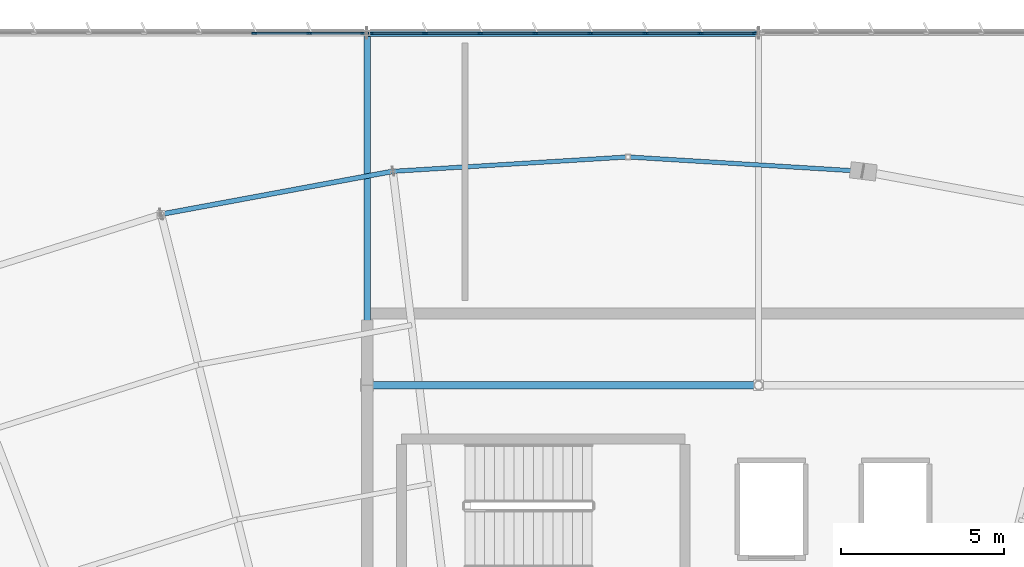
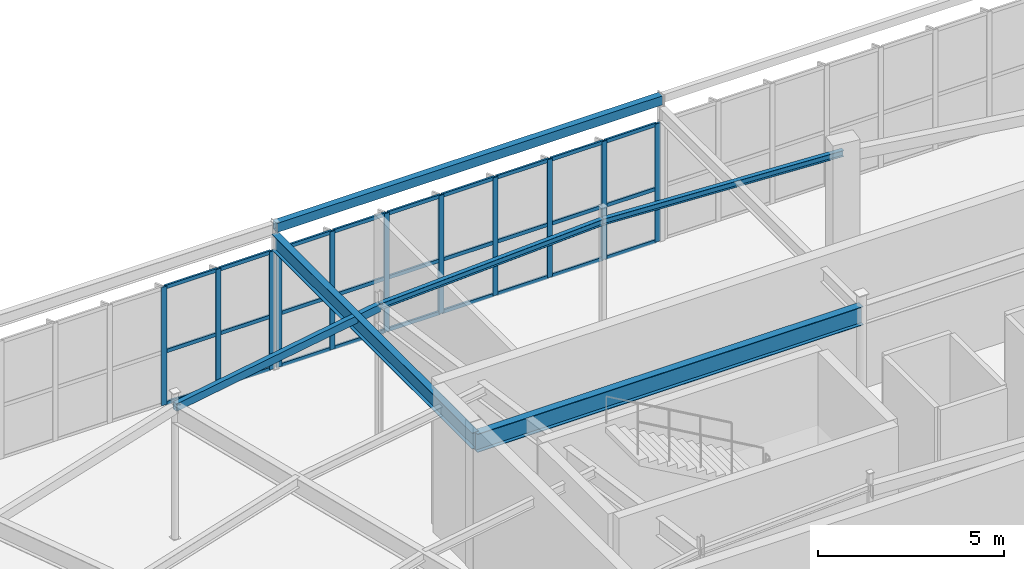
# One storey, part 81 of 186: 38 members, 6 beams, 2 elements without a shape of their own.
"""IFC4 building model written with IfcOpenShell, lengths in metres."""

from ifc_helpers import new_model, si_unit, direction, frame, origin, origin_2d, place, context, subcontext, project, spatial, rectangle, hollow_rectangle, i_section, extrude, material, layer, layer_set, material_profile, profile_set, type_object, element, aggregate, save


model = new_model("IFC4")

# Units and contexts
model_context = context("Model", 3, precision=1e-05, world=origin(), true_north=direction((0.0, 1.0)))
body_context = subcontext(model_context, "Body", "Model", "MODEL_VIEW")
ifc_project = project(units=[si_unit("LENGTHUNIT", "METRE"), si_unit("AREAUNIT", "SQUARE_METRE"), si_unit("VOLUMEUNIT", "CUBIC_METRE"), si_unit("PLANEANGLEUNIT", "RADIAN"), si_unit("MASSUNIT", "GRAM", prefix="KILO")], contexts=[model_context])

# Site, building, storey
site_placement = place(None, origin())
site = spatial("IfcSite", under=ifc_project, at=site_placement, CompositionType="ELEMENT")
building_placement = place(site_placement, origin())
building = spatial("IfcBuilding", under=site, at=building_placement, Name="Tarnwether General Hospital", CompositionType="ELEMENT")
storey_placement = place(building_placement, frame((0.0, 0.0, 9.60009765625)))
storey = spatial("IfcBuildingStorey", under=building, at=storey_placement, Name="L02", CompositionType="ELEMENT", Elevation=9.60009765625)

# Beams
ifc_material_1 = material(Name="Steel Grade 350 (350 MPa)", Category="steel")
ifc_material_profile_1 = material_profile(ifc_material_1, i_section(OverallWidth=0.22802734375, OverallDepth=0.60693359375, WebThickness=0.01123046875, FlangeThickness=0.017333984375, at=origin_2d()), Name="610UB113")
ifc_profile_set_1 = profile_set([ifc_material_profile_1], Name="Steel Grade 350 (350 MPa)")
beam_type_1 = type_object("IfcBeamType", Name="BM-G04", PredefinedType="BEAM", material=ifc_profile_set_1)
beam_1_placement = place(storey_placement, frame((84.0, 115.199951171875, 4.12646484375), z_axis=(1.0, 0.0, 0.0), x_axis=(0.0, 1.0, 0.0)))
element("IfcBeam", 1, at=beam_1_placement, inside=storey, type_object=beam_type_1, Name="Primary Girder BMG-L02-8400_11520-9600_11520-1518", PredefinedType="BEAM", context=body_context, shape_type="SweptSolid", body=[
    extrude(i_section(OverallWidth=0.22802734375, OverallDepth=0.60693359375, WebThickness=0.01123046875, FlangeThickness=0.017333984375, at=origin_2d()), origin(), (0.0, 0.0, 1.0), 12.0),
])
ifc_material_2 = material(Name="Steel Grade 350 (350 MPa)", Category="steel")
ifc_material_profile_2 = material_profile(ifc_material_2, i_section(OverallWidth=0.208984375, OverallDepth=0.528076171875, WebThickness=0.009521484375, FlangeThickness=0.01318359375, at=origin_2d()), Name="530UB82.0")
ifc_profile_set_2 = profile_set([ifc_material_profile_2], Name="Steel Grade 350 (350 MPa)")
beam_type_2 = type_object("IfcBeamType", Name="BM-G07", PredefinedType="BEAM", material=ifc_profile_set_2)
beam_2_placement = place(storey_placement, frame((84.0, 115.199951171875, 4.166015625), z_axis=(0.0, 1.0, 0.0), x_axis=(-1.0, 0.0, 0.0)))
element("IfcBeam", 2, at=beam_2_placement, inside=storey, type_object=beam_type_2, Name="Primary Girder BMG-L02-8400_11520-8400_12600-1519", PredefinedType="BEAM", context=body_context, shape_type="SweptSolid", body=[
    extrude(i_section(OverallWidth=0.208984375, OverallDepth=0.528076171875, WebThickness=0.009521484375, FlangeThickness=0.01318359375, at=origin_2d()), origin(), (0.0, 0.0, 1.0), 10.800048828125),
])
ifc_material_3 = material(Name="Steel Grade C350L0 (350 MPa)", Category="steel")
ifc_material_profile_3 = material_profile(ifc_material_3, hollow_rectangle(XDim=0.199951171875, YDim=0.300048828125, WallThickness=0.012451171875, at=origin_2d()), Name="RHS300x200x12.5")
ifc_profile_set_3 = profile_set([ifc_material_profile_3], Name="Steel Grade C350L0 (350 MPa)")
beam_type_3 = type_object("IfcBeamType", Name="BM-SP3", PredefinedType="SPANDREL", material=ifc_profile_set_3)
beam_3_placement = place(storey_placement, frame((84.0, 126.0, 4.64990234375), z_axis=(1.0, 0.0, 0.0), x_axis=(0.0, 1.0, 0.0)))
element("IfcBeam", 3, at=beam_3_placement, inside=storey, type_object=beam_type_3, Name="Primary Girder BMG-L02-8400_12600-9600_12600-1520", PredefinedType="SPANDREL", context=body_context, shape_type="SweptSolid", body=[
    extrude(hollow_rectangle(XDim=0.199951171875, YDim=0.300048828125, WallThickness=0.012451171875, at=origin_2d()), origin(), (0.0, 0.0, 1.0), 12.0),
])
ifc_material_4 = material(Name="Steel Grade C350L0 (350 MPa)", Category="steel")
ifc_material_profile_4 = material_profile(ifc_material_4, hollow_rectangle(XDim=0.14990234375, YDim=0.25, WallThickness=0.010009765625, at=origin_2d()), Name="RHS250x150x10")
ifc_profile_set_4 = profile_set([ifc_material_profile_4], Name="Steel Grade C350L0 (350 MPa)")
beam_type_4 = type_object("IfcBeamType", Name="BM-SP4", PredefinedType="SPANDREL", material=ifc_profile_set_4)
beam_4_placement = place(storey_placement, frame((77.677978515625, 120.44189453125, 4.304931640625), z_axis=(0.98325623662, 0.182228354399, 0.0), x_axis=(-0.182228354399, 0.98325623662, 0.0)))
element("IfcBeam", 4, at=beam_4_placement, inside=storey, type_object=beam_type_4, Name="Curved Ward NW Outer Spandrel BMG-L02-7768_12044-8478_12176-1899", PredefinedType="SPANDREL", context=body_context, shape_type="SweptSolid", body=[
    extrude(hollow_rectangle(XDim=0.14990234375, YDim=0.25, WallThickness=0.010009765625, at=origin_2d()), origin(), (0.0, 0.0, 1.0), 7.22802734375),
])
ifc_material_5 = material(Name="Steel Grade 350 (350 MPa)", Category="steel")
ifc_material_profile_5 = material_profile(ifc_material_5, i_section(OverallWidth=0.133056640625, OverallDepth=0.202880859375, WebThickness=0.005859375, FlangeThickness=0.0078125, at=origin_2d()), Name="200UB25.4")
ifc_profile_set_5 = profile_set([ifc_material_profile_5], Name="Steel Grade 350 (350 MPa)")
beam_type_5 = type_object("IfcBeamType", Name="BM-SP5", PredefinedType="SPANDREL", material=ifc_profile_set_5)
beam_5_placement = place(storey_placement, frame((84.784912109375, 121.759033203125, 4.328369140625), z_axis=(0.998137964221, 0.060996757127, 0.0), x_axis=(-0.060996757127, 0.998137964221, 0.0)))
element("IfcBeam", 5, at=beam_5_placement, inside=storey, type_object=beam_type_5, Name="Curved Ward NW Outer Spandrel BMG-L02-8478_12176-9200_12220-1903", PredefinedType="SPANDREL", context=body_context, shape_type="SweptSolid", body=[
    extrude(i_section(OverallWidth=0.133056640625, OverallDepth=0.202880859375, WebThickness=0.005859375, FlangeThickness=0.0078125, at=origin_2d()), origin(), (0.0, 0.0, 1.0), 7.228515625),
])
ifc_material_6 = material(Name="Steel Grade 350 (350 MPa)", Category="steel")
ifc_material_profile_6 = material_profile(ifc_material_6, i_section(OverallWidth=0.133056640625, OverallDepth=0.201904296875, WebThickness=0.0048828125, FlangeThickness=0.007080078125, at=origin_2d()), Name="200UB22.3")
ifc_profile_set_6 = profile_set([ifc_material_profile_6], Name="Steel Grade 350 (350 MPa)")
beam_type_6 = type_object("IfcBeamType", Name="BM-SP6", PredefinedType="SPANDREL", material=ifc_profile_set_6)
beam_6_placement = place(storey_placement, frame((92.0, 122.199951171875, 4.328857421875), z_axis=(0.998137964221, -0.060996757127, 0.0), x_axis=(0.060996757127, 0.998137964221, 0.0)))
element("IfcBeam", 6, at=beam_6_placement, inside=storey, type_object=beam_type_6, Name="Curved Ward NW Outer Spandrel BMG-L02-9200_12220-9922_12176-1905", PredefinedType="SPANDREL", context=body_context, shape_type="SweptSolid", body=[
    extrude(i_section(OverallWidth=0.133056640625, OverallDepth=0.201904296875, WebThickness=0.0048828125, FlangeThickness=0.007080078125, at=origin_2d()), origin(), (0.0, 0.0, 1.0), 7.228515625),
])

# Curtain wall, members
ifc_material_7 = material(Name="Anodised aluminium", Category="aluminium")
ifc_layer = layer(ifc_material_7, 0.159912109375)
ifc_layer_set = layer_set([ifc_layer], Name="Anodised aluminium")
curtain_wall_type = type_object("IfcCurtainWallType", Name="CW-17", PredefinedType="NOTDEFINED", material=ifc_layer_set)
curtain_wall_1_placement = place(storey_placement, origin())
curtain_wall_1 = element("IfcCurtainWall", 7, at=curtain_wall_1_placement, inside=storey, type_object=curtain_wall_type, Name="Curtain Wall CWG-L02-721_1260-0404", PredefinedType="NOTDEFINED")
ifc_material_8 = material(Name="Anodised aluminium", Category="aluminium")
ifc_material_profile_7 = material_profile(ifc_material_8, rectangle(XDim=0.06005859375, YDim=0.159912109375, at=origin_2d()), Name="ALU-MUL-60x160")
ifc_profile_set_7 = profile_set([ifc_material_profile_7], Name="Anodised aluminium")
member_type_1 = type_object("IfcMemberType", Name="CW-ML1", PredefinedType="MULLION", material=ifc_profile_set_7)
member_1_placement = place(storey_placement, frame((80.535888671875, 126.0, 0.0), z_axis=(0.0, 0.0, 1.0), x_axis=(0.0, 1.0, 0.0)))
member_1 = element("IfcMember", 8, at=member_1_placement, type_object=member_type_1, Name="CW-17 mullion 6", PredefinedType="MULLION", context=body_context, shape_type="SweptSolid", body=[
    extrude(rectangle(XDim=0.06005859375, YDim=0.159912109375, at=origin_2d()), origin(), (0.0, 0.0, 1.0), 3.886962890625),
])
member_2_placement = place(storey_placement, frame((82.226318359375, 126.0, 0.0), z_axis=(0.0, 0.0, 1.0), x_axis=(0.0, 1.0, 0.0)))
member_2 = element("IfcMember", 9, at=member_2_placement, type_object=member_type_1, Name="CW-17 mullion 7", PredefinedType="MULLION", context=body_context, shape_type="SweptSolid", body=[
    extrude(rectangle(XDim=0.06005859375, YDim=0.159912109375, at=origin_2d()), origin(), (0.0, 0.0, 1.0), 3.886962890625),
])
member_3_placement = place(storey_placement, frame((83.886962890625, 126.0, 0.0), z_axis=(0.0, 0.0, 1.0), x_axis=(0.0, 1.0, 0.0)))
member_3 = element("IfcMember", 10, at=member_3_placement, type_object=member_type_1, Name="CW-17 mullion 8", PredefinedType="MULLION", context=body_context, shape_type="SweptSolid", body=[
    extrude(rectangle(XDim=0.06005859375, YDim=0.159912109375, at=origin_2d()), origin(), (0.0, 0.0, 1.0), 3.886962890625),
])

curtain_wall_2_placement = place(storey_placement, origin())
curtain_wall_2 = element("IfcCurtainWall", 11, at=curtain_wall_2_placement, inside=storey, type_object=curtain_wall_type, Name="Curtain Wall CWG-L02-841_1260-0405", PredefinedType="NOTDEFINED")
member_4_placement = place(storey_placement, frame((84.113037109375, 126.0, 0.0), z_axis=(0.0, 0.0, 1.0), x_axis=(0.0, 1.0, 0.0)))
member_4 = element("IfcMember", 12, at=member_4_placement, type_object=member_type_1, Name="CW-17 mullion 1", PredefinedType="MULLION", context=body_context, shape_type="SweptSolid", body=[
    extrude(rectangle(XDim=0.06005859375, YDim=0.159912109375, at=origin_2d()), origin(), (0.0, 0.0, 1.0), 3.886962890625),
])
member_5_placement = place(storey_placement, frame((85.7734375, 126.0, 0.0), z_axis=(0.0, 0.0, 1.0), x_axis=(0.0, 1.0, 0.0)))
member_5 = element("IfcMember", 13, at=member_5_placement, type_object=member_type_1, Name="CW-17 mullion 2", PredefinedType="MULLION", context=body_context, shape_type="SweptSolid", body=[
    extrude(rectangle(XDim=0.06005859375, YDim=0.159912109375, at=origin_2d()), origin(), (0.0, 0.0, 1.0), 3.886962890625),
])
member_6_placement = place(storey_placement, frame((87.4638671875, 126.0, 0.0), z_axis=(0.0, 0.0, 1.0), x_axis=(0.0, 1.0, 0.0)))
member_6 = element("IfcMember", 14, at=member_6_placement, type_object=member_type_1, Name="CW-17 mullion 3", PredefinedType="MULLION", context=body_context, shape_type="SweptSolid", body=[
    extrude(rectangle(XDim=0.06005859375, YDim=0.159912109375, at=origin_2d()), origin(), (0.0, 0.0, 1.0), 3.886962890625),
])
member_7_placement = place(storey_placement, frame((89.154296875, 126.0, 0.0), z_axis=(0.0, 0.0, 1.0), x_axis=(0.0, 1.0, 0.0)))
member_7 = element("IfcMember", 15, at=member_7_placement, type_object=member_type_1, Name="CW-17 mullion 4", PredefinedType="MULLION", context=body_context, shape_type="SweptSolid", body=[
    extrude(rectangle(XDim=0.06005859375, YDim=0.159912109375, at=origin_2d()), origin(), (0.0, 0.0, 1.0), 3.886962890625),
])
member_8_placement = place(storey_placement, frame((90.8447265625, 126.0, 0.0), z_axis=(0.0, 0.0, 1.0), x_axis=(0.0, 1.0, 0.0)))
member_8 = element("IfcMember", 16, at=member_8_placement, type_object=member_type_1, Name="CW-17 mullion 5", PredefinedType="MULLION", context=body_context, shape_type="SweptSolid", body=[
    extrude(rectangle(XDim=0.06005859375, YDim=0.159912109375, at=origin_2d()), origin(), (0.0, 0.0, 1.0), 3.886962890625),
])
member_9_placement = place(storey_placement, frame((92.53515625, 126.0, 0.0), z_axis=(0.0, 0.0, 1.0), x_axis=(0.0, 1.0, 0.0)))
member_9 = element("IfcMember", 17, at=member_9_placement, type_object=member_type_1, Name="CW-17 mullion 6", PredefinedType="MULLION", context=body_context, shape_type="SweptSolid", body=[
    extrude(rectangle(XDim=0.06005859375, YDim=0.159912109375, at=origin_2d()), origin(), (0.0, 0.0, 1.0), 3.886962890625),
])
member_10_placement = place(storey_placement, frame((94.2255859375, 126.0, 0.0), z_axis=(0.0, 0.0, 1.0), x_axis=(0.0, 1.0, 0.0)))
member_10 = element("IfcMember", 18, at=member_10_placement, type_object=member_type_1, Name="CW-17 mullion 7", PredefinedType="MULLION", context=body_context, shape_type="SweptSolid", body=[
    extrude(rectangle(XDim=0.06005859375, YDim=0.159912109375, at=origin_2d()), origin(), (0.0, 0.0, 1.0), 3.886962890625),
])
member_11_placement = place(storey_placement, frame((95.885986328125, 126.0, 0.0), z_axis=(0.0, 0.0, 1.0), x_axis=(0.0, 1.0, 0.0)))
member_11 = element("IfcMember", 19, at=member_11_placement, type_object=member_type_1, Name="CW-17 mullion 8", PredefinedType="MULLION", context=body_context, shape_type="SweptSolid", body=[
    extrude(rectangle(XDim=0.06005859375, YDim=0.159912109375, at=origin_2d()), origin(), (0.0, 0.0, 1.0), 3.886962890625),
])

# Member
ifc_material_9 = material(Name="Anodised aluminium", Category="aluminium")
ifc_material_profile_8 = material_profile(ifc_material_9, rectangle(XDim=0.06005859375, YDim=0.1201171875, at=origin_2d()), Name="ALU-TRN-60x120")
ifc_profile_set_8 = profile_set([ifc_material_profile_8], Name="Anodised aluminium")
member_type_2 = type_object("IfcMemberType", Name="CW-TR1", PredefinedType="USERDEFINED", material=ifc_profile_set_8)
member_12_placement = place(storey_placement, frame((80.56591796875, 126.0, 0.02978515625), z_axis=(1.0, 0.0, 0.0), x_axis=(0.0, 1.0, 0.0)))
member_12 = element("IfcMember", 20, at=member_12_placement, type_object=member_type_2, Name="CW-17 transom 6.1", ObjectType="TRANSOM", PredefinedType="USERDEFINED", context=body_context, shape_type="SweptSolid", body=[
    extrude(rectangle(XDim=0.06005859375, YDim=0.1201171875, at=origin_2d()), origin(), (0.0, 0.0, 1.0), 1.630615234375),
])

member_13_placement = place(storey_placement, frame((80.56591796875, 126.0, 1.7490234375), z_axis=(1.0, 0.0, 0.0), x_axis=(0.0, 1.0, 0.0)))
member_13 = element("IfcMember", 21, at=member_13_placement, type_object=member_type_2, Name="CW-17 transom 6.2", ObjectType="TRANSOM", PredefinedType="USERDEFINED", context=body_context, shape_type="SweptSolid", body=[
    extrude(rectangle(XDim=0.06005859375, YDim=0.1201171875, at=origin_2d()), origin(), (0.0, 0.0, 1.0), 1.630615234375),
])

member_14_placement = place(storey_placement, frame((80.56591796875, 126.0, 3.85693359375), z_axis=(1.0, 0.0, 0.0), x_axis=(0.0, 1.0, 0.0)))
member_14 = element("IfcMember", 22, at=member_14_placement, type_object=member_type_2, Name="CW-17 transom 6.3", ObjectType="TRANSOM", PredefinedType="USERDEFINED", context=body_context, shape_type="SweptSolid", body=[
    extrude(rectangle(XDim=0.06005859375, YDim=0.1201171875, at=origin_2d()), origin(), (0.0, 0.0, 1.0), 1.630615234375),
])

member_15_placement = place(storey_placement, frame((82.25634765625, 126.0, 0.02978515625), z_axis=(1.0, 0.0, 0.0), x_axis=(0.0, 1.0, 0.0)))
member_15 = element("IfcMember", 23, at=member_15_placement, type_object=member_type_2, Name="CW-17 transom 7.1", ObjectType="TRANSOM", PredefinedType="USERDEFINED", context=body_context, shape_type="SweptSolid", body=[
    extrude(rectangle(XDim=0.06005859375, YDim=0.1201171875, at=origin_2d()), origin(), (0.0, 0.0, 1.0), 1.6005859375),
])

member_16_placement = place(storey_placement, frame((82.25634765625, 126.0, 1.7490234375), z_axis=(1.0, 0.0, 0.0), x_axis=(0.0, 1.0, 0.0)))
member_16 = element("IfcMember", 24, at=member_16_placement, type_object=member_type_2, Name="CW-17 transom 7.2", ObjectType="TRANSOM", PredefinedType="USERDEFINED", context=body_context, shape_type="SweptSolid", body=[
    extrude(rectangle(XDim=0.06005859375, YDim=0.1201171875, at=origin_2d()), origin(), (0.0, 0.0, 1.0), 1.6005859375),
])

member_17_placement = place(storey_placement, frame((82.25634765625, 126.0, 3.85693359375), z_axis=(1.0, 0.0, 0.0), x_axis=(0.0, 1.0, 0.0)))
member_17 = element("IfcMember", 25, at=member_17_placement, type_object=member_type_2, Name="CW-17 transom 7.3", ObjectType="TRANSOM", PredefinedType="USERDEFINED", context=body_context, shape_type="SweptSolid", body=[
    extrude(rectangle(XDim=0.06005859375, YDim=0.1201171875, at=origin_2d()), origin(), (0.0, 0.0, 1.0), 1.6005859375),
])

aggregate(curtain_wall_1, [member_1, member_2, member_3, member_12, member_13, member_14, member_15, member_16, member_17])

member_18_placement = place(storey_placement, frame((84.14306640625, 126.0, 0.02978515625), z_axis=(1.0, 0.0, 0.0), x_axis=(0.0, 1.0, 0.0)))
member_18 = element("IfcMember", 26, at=member_18_placement, type_object=member_type_2, Name="CW-17 transom 1.1", ObjectType="TRANSOM", PredefinedType="USERDEFINED", context=body_context, shape_type="SweptSolid", body=[
    extrude(rectangle(XDim=0.06005859375, YDim=0.1201171875, at=origin_2d()), origin(), (0.0, 0.0, 1.0), 1.600341796875),
])

member_19_placement = place(storey_placement, frame((84.14306640625, 126.0, 1.7490234375), z_axis=(1.0, 0.0, 0.0), x_axis=(0.0, 1.0, 0.0)))
member_19 = element("IfcMember", 27, at=member_19_placement, type_object=member_type_2, Name="CW-17 transom 1.2", ObjectType="TRANSOM", PredefinedType="USERDEFINED", context=body_context, shape_type="SweptSolid", body=[
    extrude(rectangle(XDim=0.06005859375, YDim=0.1201171875, at=origin_2d()), origin(), (0.0, 0.0, 1.0), 1.600341796875),
])

member_20_placement = place(storey_placement, frame((84.14306640625, 126.0, 3.85693359375), z_axis=(1.0, 0.0, 0.0), x_axis=(0.0, 1.0, 0.0)))
member_20 = element("IfcMember", 28, at=member_20_placement, type_object=member_type_2, Name="CW-17 transom 1.3", ObjectType="TRANSOM", PredefinedType="USERDEFINED", context=body_context, shape_type="SweptSolid", body=[
    extrude(rectangle(XDim=0.06005859375, YDim=0.1201171875, at=origin_2d()), origin(), (0.0, 0.0, 1.0), 1.600341796875),
])

member_21_placement = place(storey_placement, frame((85.803466796875, 126.0, 0.02978515625), z_axis=(1.0, 0.0, 0.0), x_axis=(0.0, 1.0, 0.0)))
member_21 = element("IfcMember", 29, at=member_21_placement, type_object=member_type_2, Name="CW-17 transom 2.1", ObjectType="TRANSOM", PredefinedType="USERDEFINED", context=body_context, shape_type="SweptSolid", body=[
    extrude(rectangle(XDim=0.06005859375, YDim=0.1201171875, at=origin_2d()), origin(), (0.0, 0.0, 1.0), 1.63037109375),
])

member_22_placement = place(storey_placement, frame((85.803466796875, 126.0, 1.7490234375), z_axis=(1.0, 0.0, 0.0), x_axis=(0.0, 1.0, 0.0)))
member_22 = element("IfcMember", 30, at=member_22_placement, type_object=member_type_2, Name="CW-17 transom 2.2", ObjectType="TRANSOM", PredefinedType="USERDEFINED", context=body_context, shape_type="SweptSolid", body=[
    extrude(rectangle(XDim=0.06005859375, YDim=0.1201171875, at=origin_2d()), origin(), (0.0, 0.0, 1.0), 1.63037109375),
])

member_23_placement = place(storey_placement, frame((85.803466796875, 126.0, 3.85693359375), z_axis=(1.0, 0.0, 0.0), x_axis=(0.0, 1.0, 0.0)))
member_23 = element("IfcMember", 31, at=member_23_placement, type_object=member_type_2, Name="CW-17 transom 2.3", ObjectType="TRANSOM", PredefinedType="USERDEFINED", context=body_context, shape_type="SweptSolid", body=[
    extrude(rectangle(XDim=0.06005859375, YDim=0.1201171875, at=origin_2d()), origin(), (0.0, 0.0, 1.0), 1.63037109375),
])

member_24_placement = place(storey_placement, frame((87.493896484375, 126.0, 0.02978515625), z_axis=(1.0, 0.0, 0.0), x_axis=(0.0, 1.0, 0.0)))
member_24 = element("IfcMember", 32, at=member_24_placement, type_object=member_type_2, Name="CW-17 transom 3.1", ObjectType="TRANSOM", PredefinedType="USERDEFINED", context=body_context, shape_type="SweptSolid", body=[
    extrude(rectangle(XDim=0.06005859375, YDim=0.1201171875, at=origin_2d()), origin(), (0.0, 0.0, 1.0), 1.63037109375),
])

member_25_placement = place(storey_placement, frame((87.493896484375, 126.0, 1.7490234375), z_axis=(1.0, 0.0, 0.0), x_axis=(0.0, 1.0, 0.0)))
member_25 = element("IfcMember", 33, at=member_25_placement, type_object=member_type_2, Name="CW-17 transom 3.2", ObjectType="TRANSOM", PredefinedType="USERDEFINED", context=body_context, shape_type="SweptSolid", body=[
    extrude(rectangle(XDim=0.06005859375, YDim=0.1201171875, at=origin_2d()), origin(), (0.0, 0.0, 1.0), 1.63037109375),
])

member_26_placement = place(storey_placement, frame((87.493896484375, 126.0, 3.85693359375), z_axis=(1.0, 0.0, 0.0), x_axis=(0.0, 1.0, 0.0)))
member_26 = element("IfcMember", 34, at=member_26_placement, type_object=member_type_2, Name="CW-17 transom 3.3", ObjectType="TRANSOM", PredefinedType="USERDEFINED", context=body_context, shape_type="SweptSolid", body=[
    extrude(rectangle(XDim=0.06005859375, YDim=0.1201171875, at=origin_2d()), origin(), (0.0, 0.0, 1.0), 1.63037109375),
])

member_27_placement = place(storey_placement, frame((89.184326171875, 126.0, 0.02978515625), z_axis=(1.0, 0.0, 0.0), x_axis=(0.0, 1.0, 0.0)))
member_27 = element("IfcMember", 35, at=member_27_placement, type_object=member_type_2, Name="CW-17 transom 4.1", ObjectType="TRANSOM", PredefinedType="USERDEFINED", context=body_context, shape_type="SweptSolid", body=[
    extrude(rectangle(XDim=0.06005859375, YDim=0.1201171875, at=origin_2d()), origin(), (0.0, 0.0, 1.0), 1.63037109375),
])

member_28_placement = place(storey_placement, frame((89.184326171875, 126.0, 1.7490234375), z_axis=(1.0, 0.0, 0.0), x_axis=(0.0, 1.0, 0.0)))
member_28 = element("IfcMember", 36, at=member_28_placement, type_object=member_type_2, Name="CW-17 transom 4.2", ObjectType="TRANSOM", PredefinedType="USERDEFINED", context=body_context, shape_type="SweptSolid", body=[
    extrude(rectangle(XDim=0.06005859375, YDim=0.1201171875, at=origin_2d()), origin(), (0.0, 0.0, 1.0), 1.63037109375),
])

member_29_placement = place(storey_placement, frame((89.184326171875, 126.0, 3.85693359375), z_axis=(1.0, 0.0, 0.0), x_axis=(0.0, 1.0, 0.0)))
member_29 = element("IfcMember", 37, at=member_29_placement, type_object=member_type_2, Name="CW-17 transom 4.3", ObjectType="TRANSOM", PredefinedType="USERDEFINED", context=body_context, shape_type="SweptSolid", body=[
    extrude(rectangle(XDim=0.06005859375, YDim=0.1201171875, at=origin_2d()), origin(), (0.0, 0.0, 1.0), 1.63037109375),
])

member_30_placement = place(storey_placement, frame((90.874755859375, 126.0, 0.02978515625), z_axis=(1.0, 0.0, 0.0), x_axis=(0.0, 1.0, 0.0)))
member_30 = element("IfcMember", 38, at=member_30_placement, type_object=member_type_2, Name="CW-17 transom 5.1", ObjectType="TRANSOM", PredefinedType="USERDEFINED", context=body_context, shape_type="SweptSolid", body=[
    extrude(rectangle(XDim=0.06005859375, YDim=0.1201171875, at=origin_2d()), origin(), (0.0, 0.0, 1.0), 1.63037109375),
])

member_31_placement = place(storey_placement, frame((90.874755859375, 126.0, 1.7490234375), z_axis=(1.0, 0.0, 0.0), x_axis=(0.0, 1.0, 0.0)))
member_31 = element("IfcMember", 39, at=member_31_placement, type_object=member_type_2, Name="CW-17 transom 5.2", ObjectType="TRANSOM", PredefinedType="USERDEFINED", context=body_context, shape_type="SweptSolid", body=[
    extrude(rectangle(XDim=0.06005859375, YDim=0.1201171875, at=origin_2d()), origin(), (0.0, 0.0, 1.0), 1.63037109375),
])

member_32_placement = place(storey_placement, frame((90.874755859375, 126.0, 3.85693359375), z_axis=(1.0, 0.0, 0.0), x_axis=(0.0, 1.0, 0.0)))
member_32 = element("IfcMember", 40, at=member_32_placement, type_object=member_type_2, Name="CW-17 transom 5.3", ObjectType="TRANSOM", PredefinedType="USERDEFINED", context=body_context, shape_type="SweptSolid", body=[
    extrude(rectangle(XDim=0.06005859375, YDim=0.1201171875, at=origin_2d()), origin(), (0.0, 0.0, 1.0), 1.63037109375),
])

member_33_placement = place(storey_placement, frame((92.565185546875, 126.0, 0.02978515625), z_axis=(1.0, 0.0, 0.0), x_axis=(0.0, 1.0, 0.0)))
member_33 = element("IfcMember", 41, at=member_33_placement, type_object=member_type_2, Name="CW-17 transom 6.1", ObjectType="TRANSOM", PredefinedType="USERDEFINED", context=body_context, shape_type="SweptSolid", body=[
    extrude(rectangle(XDim=0.06005859375, YDim=0.1201171875, at=origin_2d()), origin(), (0.0, 0.0, 1.0), 1.63037109375),
])

member_34_placement = place(storey_placement, frame((92.565185546875, 126.0, 1.7490234375), z_axis=(1.0, 0.0, 0.0), x_axis=(0.0, 1.0, 0.0)))
member_34 = element("IfcMember", 42, at=member_34_placement, type_object=member_type_2, Name="CW-17 transom 6.2", ObjectType="TRANSOM", PredefinedType="USERDEFINED", context=body_context, shape_type="SweptSolid", body=[
    extrude(rectangle(XDim=0.06005859375, YDim=0.1201171875, at=origin_2d()), origin(), (0.0, 0.0, 1.0), 1.63037109375),
])

member_35_placement = place(storey_placement, frame((92.565185546875, 126.0, 3.85693359375), z_axis=(1.0, 0.0, 0.0), x_axis=(0.0, 1.0, 0.0)))
member_35 = element("IfcMember", 43, at=member_35_placement, type_object=member_type_2, Name="CW-17 transom 6.3", ObjectType="TRANSOM", PredefinedType="USERDEFINED", context=body_context, shape_type="SweptSolid", body=[
    extrude(rectangle(XDim=0.06005859375, YDim=0.1201171875, at=origin_2d()), origin(), (0.0, 0.0, 1.0), 1.63037109375),
])

member_36_placement = place(storey_placement, frame((94.255615234375, 126.0, 0.02978515625), z_axis=(1.0, 0.0, 0.0), x_axis=(0.0, 1.0, 0.0)))
member_36 = element("IfcMember", 44, at=member_36_placement, type_object=member_type_2, Name="CW-17 transom 7.1", ObjectType="TRANSOM", PredefinedType="USERDEFINED", context=body_context, shape_type="SweptSolid", body=[
    extrude(rectangle(XDim=0.06005859375, YDim=0.1201171875, at=origin_2d()), origin(), (0.0, 0.0, 1.0), 1.600341796875),
])

member_37_placement = place(storey_placement, frame((94.255615234375, 126.0, 1.7490234375), z_axis=(1.0, 0.0, 0.0), x_axis=(0.0, 1.0, 0.0)))
member_37 = element("IfcMember", 45, at=member_37_placement, type_object=member_type_2, Name="CW-17 transom 7.2", ObjectType="TRANSOM", PredefinedType="USERDEFINED", context=body_context, shape_type="SweptSolid", body=[
    extrude(rectangle(XDim=0.06005859375, YDim=0.1201171875, at=origin_2d()), origin(), (0.0, 0.0, 1.0), 1.600341796875),
])

member_38_placement = place(storey_placement, frame((94.255615234375, 126.0, 3.85693359375), z_axis=(1.0, 0.0, 0.0), x_axis=(0.0, 1.0, 0.0)))
member_38 = element("IfcMember", 46, at=member_38_placement, type_object=member_type_2, Name="CW-17 transom 7.3", ObjectType="TRANSOM", PredefinedType="USERDEFINED", context=body_context, shape_type="SweptSolid", body=[
    extrude(rectangle(XDim=0.06005859375, YDim=0.1201171875, at=origin_2d()), origin(), (0.0, 0.0, 1.0), 1.600341796875),
])

aggregate(curtain_wall_2, [member_4, member_5, member_6, member_7, member_8, member_9, member_10, member_11, member_18, member_19, member_20, member_21, member_22, member_23, member_24, member_25, member_26, member_27, member_28, member_29, member_30, member_31, member_32, member_33, member_34, member_35, member_36, member_37, member_38])

save(model, "model.ifc")
